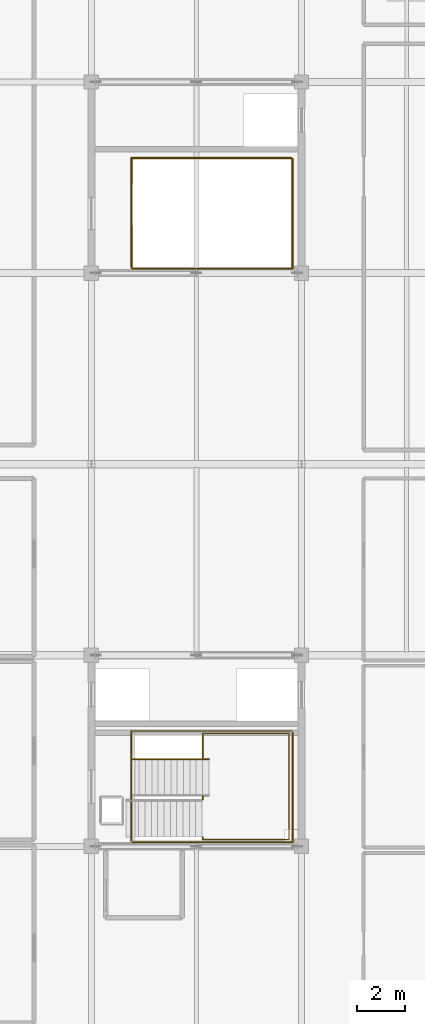
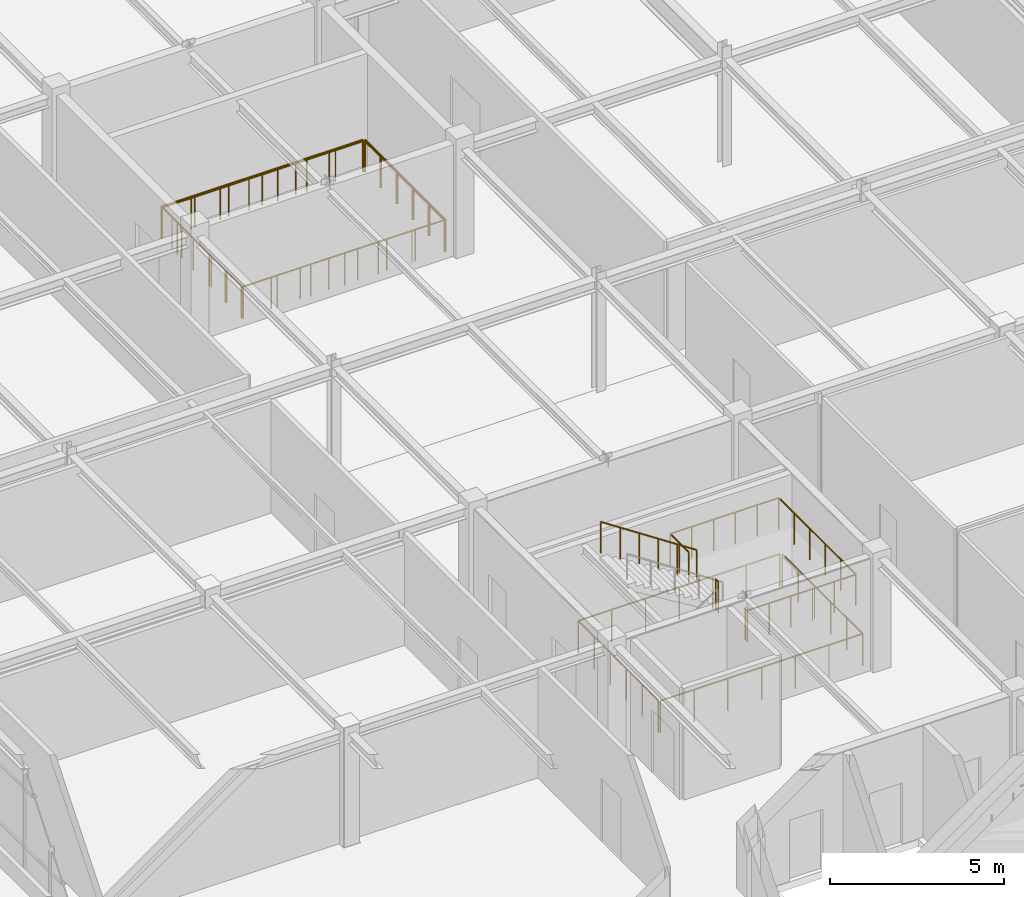
# One storey, part 63 of 64: 8 railings.
"""IFC4 building model written with IfcOpenShell, lengths in metres."""

from ifc_helpers import new_model, si_unit, direction, frame, origin, origin_2d, place, context, subcontext, project, spatial, circle, extrude, material, type_object, element, save


model = new_model("IFC4")

# Units and contexts
model_context = context("Model", 3, precision=1e-05, world=origin(), true_north=direction((0.0, 1.0)))
body_context = subcontext(model_context, "Body", "Model", "MODEL_VIEW")
ifc_project = project(units=[si_unit("LENGTHUNIT", "METRE"), si_unit("AREAUNIT", "SQUARE_METRE"), si_unit("VOLUMEUNIT", "CUBIC_METRE"), si_unit("PLANEANGLEUNIT", "RADIAN"), si_unit("MASSUNIT", "GRAM", prefix="KILO")], contexts=[model_context])

# Site, building, storey
site_placement = place(None, origin())
site = spatial("IfcSite", under=ifc_project, at=site_placement, CompositionType="ELEMENT")
building_placement = place(site_placement, origin())
building = spatial("IfcBuilding", under=site, at=building_placement, Name="Zhaolan Boulevard Law Courts", CompositionType="ELEMENT")
storey_placement = place(building_placement, frame((0.0, 0.0, 20.39990234375)))
storey = spatial("IfcBuildingStorey", under=building, at=storey_placement, Name="L04", CompositionType="ELEMENT", Elevation=20.39990234375)

# Railings
ifc_material_1 = material(Name="Powder-coated steel and tempered laminated glass", Category="steel")
railing_type_1 = type_object("IfcRailingType", Name="INTERIOR GUARDRAIL 1150", PredefinedType="GUARDRAIL", material=ifc_material_1)
railing_1_placement = place(storey_placement, frame((19.31005859375, 62.169921875, 0.0)))
element("IfcRailing", 1, at=railing_1_placement, inside=storey, type_object=railing_type_1, Name="Atrium Gallery Guardrail VG-4-V5-7A", PredefinedType="GUARDRAIL", context=body_context, shape_type="SweptSolid", body=[
    extrude(circle(Radius=0.02490234375, at=origin_2d()), frame((0.0, 0.0, 1.125), z_axis=(1.0, 0.0, 0.0), x_axis=(0.0, 1.0, 0.0)), (0.0, 0.0, 1.0), 6.719970703125),
    extrude(circle(Radius=0.02490234375, at=origin_2d()), frame((6.719970703125, 0.0, 1.125), z_axis=(0.0, 1.0, 0.0), x_axis=(-1.0, 0.0, 0.0)), (0.0, 0.0, 1.0), 4.6201171875),
    extrude(circle(Radius=0.02099609375, at=origin_2d()), origin(), (0.0, 0.0, 1.0), 1.099853515625),
    extrude(circle(Radius=0.02099609375, at=origin_2d()), frame((1.1201171875, 0.0, 0.0)), (0.0, 0.0, 1.0), 1.099853515625),
    extrude(circle(Radius=0.02099609375, at=origin_2d()), frame((2.239990234375, 0.0, 0.0)), (0.0, 0.0, 1.0), 1.099853515625),
    extrude(circle(Radius=0.02099609375, at=origin_2d()), frame((3.35986328125, 0.0, 0.0)), (0.0, 0.0, 1.0), 1.099853515625),
    extrude(circle(Radius=0.02099609375, at=origin_2d()), frame((4.47998046875, 0.0, 0.0)), (0.0, 0.0, 1.0), 1.099853515625),
    extrude(circle(Radius=0.02099609375, at=origin_2d()), frame((5.60009765625, 0.0, 0.0)), (0.0, 0.0, 1.0), 1.099853515625),
    extrude(circle(Radius=0.02099609375, at=origin_2d()), frame((6.719970703125, 0.0, 0.0)), (0.0, 0.0, 1.0), 1.099853515625),
    extrude(circle(Radius=0.02099609375, at=origin_2d()), frame((6.719970703125, 0.924072265625, 0.0)), (0.0, 0.0, 1.0), 1.099853515625),
    extrude(circle(Radius=0.02099609375, at=origin_2d()), frame((6.719970703125, 1.84814453125, 0.0)), (0.0, 0.0, 1.0), 1.099853515625),
    extrude(circle(Radius=0.02099609375, at=origin_2d()), frame((6.719970703125, 2.77197265625, 0.0)), (0.0, 0.0, 1.0), 1.099853515625),
    extrude(circle(Radius=0.02099609375, at=origin_2d()), frame((6.719970703125, 3.696044921875, 0.0)), (0.0, 0.0, 1.0), 1.099853515625),
    extrude(circle(Radius=0.02099609375, at=origin_2d()), frame((6.719970703125, 4.6201171875, 0.0)), (0.0, 0.0, 1.0), 1.099853515625),
])
railing_2_placement = place(storey_placement, frame((25.969970703125, 66.830078125, 0.0)))
element("IfcRailing", 2, at=railing_2_placement, inside=storey, type_object=railing_type_1, Name="Atrium Gallery Guardrail VG-4-V5-7B", PredefinedType="GUARDRAIL", context=body_context, shape_type="SweptSolid", body=[
    extrude(circle(Radius=0.02490234375, at=origin_2d()), frame((0.0, 0.0, 1.125), z_axis=(-1.0, 0.0, 0.0), x_axis=(0.0, -1.0, 0.0)), (0.0, 0.0, 1.0), 6.699951171875),
    extrude(circle(Radius=0.02490234375, at=origin_2d()), frame((-6.699951171875, 0.0, 1.125), z_axis=(0.0, -1.0, 0.0), x_axis=(1.0, 0.0, 0.0)), (0.0, 0.0, 1.0), 4.60009765625),
    extrude(circle(Radius=0.02099609375, at=origin_2d()), origin(), (0.0, 0.0, 1.0), 1.099853515625),
    extrude(circle(Radius=0.02099609375, at=origin_2d()), frame((-1.11669921875, 0.0, 0.0)), (0.0, 0.0, 1.0), 1.099853515625),
    extrude(circle(Radius=0.02099609375, at=origin_2d()), frame((-2.2333984375, 0.0, 0.0)), (0.0, 0.0, 1.0), 1.099853515625),
    extrude(circle(Radius=0.02099609375, at=origin_2d()), frame((-3.35009765625, 0.0, 0.0)), (0.0, 0.0, 1.0), 1.099853515625),
    extrude(circle(Radius=0.02099609375, at=origin_2d()), frame((-4.466552734375, 0.0, 0.0)), (0.0, 0.0, 1.0), 1.099853515625),
    extrude(circle(Radius=0.02099609375, at=origin_2d()), frame((-5.583251953125, 0.0, 0.0)), (0.0, 0.0, 1.0), 1.099853515625),
    extrude(circle(Radius=0.02099609375, at=origin_2d()), frame((-6.699951171875, 0.0, 0.0)), (0.0, 0.0, 1.0), 1.099853515625),
    extrude(circle(Radius=0.02099609375, at=origin_2d()), frame((-6.699951171875, -0.919921875, 0.0)), (0.0, 0.0, 1.0), 1.099853515625),
    extrude(circle(Radius=0.02099609375, at=origin_2d()), frame((-6.699951171875, -1.840087890625, 0.0)), (0.0, 0.0, 1.0), 1.099853515625),
    extrude(circle(Radius=0.02099609375, at=origin_2d()), frame((-6.699951171875, -2.760009765625, 0.0)), (0.0, 0.0, 1.0), 1.099853515625),
    extrude(circle(Radius=0.02099609375, at=origin_2d()), frame((-6.699951171875, -3.68017578125, 0.0)), (0.0, 0.0, 1.0), 1.099853515625),
    extrude(circle(Radius=0.02099609375, at=origin_2d()), frame((-6.699951171875, -4.60009765625, 0.0)), (0.0, 0.0, 1.0), 1.099853515625),
])
railing_3_placement = place(storey_placement, frame((19.31005859375, 86.169921875, 0.0)))
element("IfcRailing", 3, at=railing_3_placement, inside=storey, type_object=railing_type_1, Name="Atrium Gallery Guardrail VG-4-V3-2A", PredefinedType="GUARDRAIL", context=body_context, shape_type="SweptSolid", body=[
    extrude(circle(Radius=0.02490234375, at=origin_2d()), frame((0.0, 0.0, 1.125), z_axis=(1.0, 0.0, 0.0), x_axis=(0.0, 1.0, 0.0)), (0.0, 0.0, 1.0), 6.719970703125),
    extrude(circle(Radius=0.02490234375, at=origin_2d()), frame((6.719970703125, 0.0, 1.125), z_axis=(0.0, 1.0, 0.0), x_axis=(-1.0, 0.0, 0.0)), (0.0, 0.0, 1.0), 4.6201171875),
    extrude(circle(Radius=0.02099609375, at=origin_2d()), origin(), (0.0, 0.0, 1.0), 1.099853515625),
    extrude(circle(Radius=0.02099609375, at=origin_2d()), frame((1.1201171875, 0.0, 0.0)), (0.0, 0.0, 1.0), 1.099853515625),
    extrude(circle(Radius=0.02099609375, at=origin_2d()), frame((2.239990234375, 0.0, 0.0)), (0.0, 0.0, 1.0), 1.099853515625),
    extrude(circle(Radius=0.02099609375, at=origin_2d()), frame((3.35986328125, 0.0, 0.0)), (0.0, 0.0, 1.0), 1.099853515625),
    extrude(circle(Radius=0.02099609375, at=origin_2d()), frame((4.47998046875, 0.0, 0.0)), (0.0, 0.0, 1.0), 1.099853515625),
    extrude(circle(Radius=0.02099609375, at=origin_2d()), frame((5.60009765625, 0.0, 0.0)), (0.0, 0.0, 1.0), 1.099853515625),
    extrude(circle(Radius=0.02099609375, at=origin_2d()), frame((6.719970703125, 0.0, 0.0)), (0.0, 0.0, 1.0), 1.099853515625),
    extrude(circle(Radius=0.02099609375, at=origin_2d()), frame((6.719970703125, 0.924072265625, 0.0)), (0.0, 0.0, 1.0), 1.099853515625),
    extrude(circle(Radius=0.02099609375, at=origin_2d()), frame((6.719970703125, 1.84814453125, 0.0)), (0.0, 0.0, 1.0), 1.099853515625),
    extrude(circle(Radius=0.02099609375, at=origin_2d()), frame((6.719970703125, 2.77197265625, 0.0)), (0.0, 0.0, 1.0), 1.099853515625),
    extrude(circle(Radius=0.02099609375, at=origin_2d()), frame((6.719970703125, 3.696044921875, 0.0)), (0.0, 0.0, 1.0), 1.099853515625),
    extrude(circle(Radius=0.02099609375, at=origin_2d()), frame((6.719970703125, 4.6201171875, 0.0)), (0.0, 0.0, 1.0), 1.099853515625),
])
railing_4_placement = place(storey_placement, frame((25.969970703125, 90.830078125, 0.0)))
element("IfcRailing", 4, at=railing_4_placement, inside=storey, type_object=railing_type_1, Name="Atrium Gallery Guardrail VG-4-V3-2B", PredefinedType="GUARDRAIL", context=body_context, shape_type="SweptSolid", body=[
    extrude(circle(Radius=0.02490234375, at=origin_2d()), frame((0.0, 0.0, 1.125), z_axis=(-1.0, 0.0, 0.0), x_axis=(0.0, -1.0, 0.0)), (0.0, 0.0, 1.0), 6.699951171875),
    extrude(circle(Radius=0.02490234375, at=origin_2d()), frame((-6.699951171875, 0.0, 1.125), z_axis=(0.0, -1.0, 0.0), x_axis=(1.0, 0.0, 0.0)), (0.0, 0.0, 1.0), 4.60009765625),
    extrude(circle(Radius=0.02099609375, at=origin_2d()), origin(), (0.0, 0.0, 1.0), 1.099853515625),
    extrude(circle(Radius=0.02099609375, at=origin_2d()), frame((-1.11669921875, 0.0, 0.0)), (0.0, 0.0, 1.0), 1.099853515625),
    extrude(circle(Radius=0.02099609375, at=origin_2d()), frame((-2.2333984375, 0.0, 0.0)), (0.0, 0.0, 1.0), 1.099853515625),
    extrude(circle(Radius=0.02099609375, at=origin_2d()), frame((-3.35009765625, 0.0, 0.0)), (0.0, 0.0, 1.0), 1.099853515625),
    extrude(circle(Radius=0.02099609375, at=origin_2d()), frame((-4.466552734375, 0.0, 0.0)), (0.0, 0.0, 1.0), 1.099853515625),
    extrude(circle(Radius=0.02099609375, at=origin_2d()), frame((-5.583251953125, 0.0, 0.0)), (0.0, 0.0, 1.0), 1.099853515625),
    extrude(circle(Radius=0.02099609375, at=origin_2d()), frame((-6.699951171875, 0.0, 0.0)), (0.0, 0.0, 1.0), 1.099853515625),
    extrude(circle(Radius=0.02099609375, at=origin_2d()), frame((-6.699951171875, -0.919921875, 0.0)), (0.0, 0.0, 1.0), 1.099853515625),
    extrude(circle(Radius=0.02099609375, at=origin_2d()), frame((-6.699951171875, -1.840087890625, 0.0)), (0.0, 0.0, 1.0), 1.099853515625),
    extrude(circle(Radius=0.02099609375, at=origin_2d()), frame((-6.699951171875, -2.760009765625, 0.0)), (0.0, 0.0, 1.0), 1.099853515625),
    extrude(circle(Radius=0.02099609375, at=origin_2d()), frame((-6.699951171875, -3.68017578125, 0.0)), (0.0, 0.0, 1.0), 1.099853515625),
    extrude(circle(Radius=0.02099609375, at=origin_2d()), frame((-6.699951171875, -4.60009765625, 0.0)), (0.0, 0.0, 1.0), 1.099853515625),
])
ifc_material_2 = material(Name="Powder-coated steel baluster guardrail", Category="steel")
railing_type_2 = type_object("IfcRailingType", Name="STAIR WELL GUARDRAIL 1120", PredefinedType="GUARDRAIL", material=ifc_material_2)
railing_5_placement = place(storey_placement, frame((22.260009765625, 62.39990234375, 2.10009765625)))
element("IfcRailing", 5, at=railing_5_placement, inside=storey, type_object=railing_type_2, Name="Half-Landing Guardrail SG-ST02-L04-M", PredefinedType="GUARDRAIL", context=body_context, shape_type="SweptSolid", body=[
    extrude(circle(Radius=0.02392578125, at=origin_2d()), frame((0.0, 0.0, 1.09619140625), z_axis=(0.0, -1.0, 0.0), x_axis=(1.0, 0.0, 0.0)), (0.0, 0.0, 1.0), 0.119873046875),
    extrude(circle(Radius=0.02392578125, at=origin_2d()), frame((0.0, -0.119873046875, 1.09619140625), z_axis=(1.0, 0.0, 0.0), x_axis=(0.0, 1.0, 0.0)), (0.0, 0.0, 1.0), 3.610107421875),
    extrude(circle(Radius=0.02392578125, at=origin_2d()), frame((3.610107421875, -0.119873046875, 1.09619140625), z_axis=(0.0, 1.0, 0.0), x_axis=(-1.0, 0.0, 0.0)), (0.0, 0.0, 1.0), 4.43994140625),
    extrude(circle(Radius=0.02392578125, at=origin_2d()), frame((3.610107421875, 4.320068359375, 1.09619140625), z_axis=(-1.0, 0.0, 0.0), x_axis=(0.0, -1.0, 0.0)), (0.0, 0.0, 1.0), 3.610107421875),
    extrude(circle(Radius=0.02392578125, at=origin_2d()), frame((0.0, 4.320068359375, 1.09619140625), z_axis=(0.0, -1.0, 0.0), x_axis=(1.0, 0.0, 0.0)), (0.0, 0.0, 1.0), 1.06005859375),
    extrude(circle(Radius=0.02099609375, at=origin_2d()), origin(), (0.0, 0.0, 1.0), 1.072021484375),
    extrude(circle(Radius=0.02099609375, at=origin_2d()), frame((0.0, -0.119873046875, 0.0)), (0.0, 0.0, 1.0), 1.072021484375),
    extrude(circle(Radius=0.02099609375, at=origin_2d()), frame((0.721923828125, -0.119873046875, 0.0)), (0.0, 0.0, 1.0), 1.072021484375),
    extrude(circle(Radius=0.02099609375, at=origin_2d()), frame((1.444091796875, -0.119873046875, 0.0)), (0.0, 0.0, 1.0), 1.072021484375),
    extrude(circle(Radius=0.02099609375, at=origin_2d()), frame((2.166015625, -0.119873046875, 0.0)), (0.0, 0.0, 1.0), 1.072021484375),
    extrude(circle(Radius=0.02099609375, at=origin_2d()), frame((2.88818359375, -0.119873046875, 0.0)), (0.0, 0.0, 1.0), 1.072021484375),
    extrude(circle(Radius=0.02099609375, at=origin_2d()), frame((3.610107421875, -0.119873046875, 0.0)), (0.0, 0.0, 1.0), 1.072021484375),
    extrude(circle(Radius=0.02099609375, at=origin_2d()), frame((3.610107421875, 0.76806640625, 0.0)), (0.0, 0.0, 1.0), 1.072021484375),
    extrude(circle(Radius=0.02099609375, at=origin_2d()), frame((3.610107421875, 1.656005859375, 0.0)), (0.0, 0.0, 1.0), 1.072021484375),
    extrude(circle(Radius=0.02099609375, at=origin_2d()), frame((3.610107421875, 2.544189453125, 0.0)), (0.0, 0.0, 1.0), 1.072021484375),
    extrude(circle(Radius=0.02099609375, at=origin_2d()), frame((3.610107421875, 3.43212890625, 0.0)), (0.0, 0.0, 1.0), 1.072021484375),
    extrude(circle(Radius=0.02099609375, at=origin_2d()), frame((3.610107421875, 4.320068359375, 0.0)), (0.0, 0.0, 1.0), 1.072021484375),
    extrude(circle(Radius=0.02099609375, at=origin_2d()), frame((2.88818359375, 4.320068359375, 0.0)), (0.0, 0.0, 1.0), 1.072021484375),
    extrude(circle(Radius=0.02099609375, at=origin_2d()), frame((2.166015625, 4.320068359375, 0.0)), (0.0, 0.0, 1.0), 1.072021484375),
    extrude(circle(Radius=0.02099609375, at=origin_2d()), frame((1.444091796875, 4.320068359375, 0.0)), (0.0, 0.0, 1.0), 1.072021484375),
    extrude(circle(Radius=0.02099609375, at=origin_2d()), frame((0.721923828125, 4.320068359375, 0.0)), (0.0, 0.0, 1.0), 1.072021484375),
    extrude(circle(Radius=0.02099609375, at=origin_2d()), frame((0.0, 4.320068359375, 0.0)), (0.0, 0.0, 1.0), 1.072021484375),
    extrude(circle(Radius=0.02099609375, at=origin_2d()), frame((0.0, 3.7900390625, 0.0)), (0.0, 0.0, 1.0), 1.072021484375),
    extrude(circle(Radius=0.02099609375, at=origin_2d()), frame((0.0, 3.260009765625, 0.0)), (0.0, 0.0, 1.0), 1.072021484375),
])
railing_6_placement = place(storey_placement, frame((22.260009765625, 63.9599609375, 2.10009765625)))
element("IfcRailing", 6, at=railing_6_placement, inside=storey, type_object=railing_type_2, Name="Half-Landing Well Guardrail SG-ST02-L04-W", PredefinedType="GUARDRAIL", context=body_context, shape_type="SweptSolid", body=[
    extrude(circle(Radius=0.02392578125, at=origin_2d()), frame((0.0, 0.0, 1.09619140625), z_axis=(0.0, 1.0, 0.0), x_axis=(-1.0, 0.0, 0.0)), (0.0, 0.0, 1.0), 0.14013671875),
    extrude(circle(Radius=0.02099609375, at=origin_2d()), origin(), (0.0, 0.0, 1.0), 1.072021484375),
    extrude(circle(Radius=0.02099609375, at=origin_2d()), frame((0.0, 0.14013671875, 0.0)), (0.0, 0.0, 1.0), 1.072021484375),
])
railing_7_placement = place(storey_placement, frame((22.514892578125, 65.639892578125, 2.10009765625)))
element("IfcRailing", 7, at=railing_7_placement, inside=storey, type_object=railing_type_2, Name="Flight Guardrail SG-ST02-L04-F2", PredefinedType="GUARDRAIL", context=body_context, shape_type="SweptSolid", body=[
    extrude(circle(Radius=0.02392578125, at=origin_2d()), frame((0.0, 0.0, 1.09619140625), z_axis=(-0.834447378162, 0.0, 0.551087627405), x_axis=(0.0, -1.0, 0.0)), (0.0, 0.0, 1.0), 3.810791015625),
    extrude(circle(Radius=0.02099609375, at=origin_2d()), origin(), (0.0, 0.0, 1.0), 1.072021484375),
    extrude(circle(Radius=0.02099609375, at=origin_2d()), frame((-0.635986328125, 0.0, 0.419921875)), (0.0, 0.0, 1.0), 1.072021484375),
    extrude(circle(Radius=0.02099609375, at=origin_2d()), frame((-1.27197265625, 0.0, 0.840087890625)), (0.0, 0.0, 1.0), 1.072021484375),
    extrude(circle(Radius=0.02099609375, at=origin_2d()), frame((-1.907958984375, 0.0, 1.260009765625)), (0.0, 0.0, 1.0), 1.072021484375),
    extrude(circle(Radius=0.02099609375, at=origin_2d()), frame((-2.5439453125, 0.0, 1.68017578125)), (0.0, 0.0, 1.0), 1.072021484375),
    extrude(circle(Radius=0.02099609375, at=origin_2d()), frame((-3.179931640625, 0.0, 2.10009765625)), (0.0, 0.0, 1.0), 1.072021484375),
])
railing_8_placement = place(storey_placement, frame((19.2900390625, 88.0, 0.0)))
element("IfcRailing", 8, at=railing_8_placement, inside=storey, type_object=railing_type_2, Name="Stair-Well Floor Guardrail WG-ST10-L03", PredefinedType="GUARDRAIL", context=body_context, shape_type="SweptSolid", body=[
    extrude(circle(Radius=0.02392578125, at=origin_2d()), frame((0.0, 0.0, 1.09619140625), z_axis=(0.0, -1.0, 0.0), x_axis=(1.0, 0.0, 0.0)), (0.0, 0.0, 1.0), 1.800048828125),
    extrude(circle(Radius=0.02392578125, at=origin_2d()), frame((0.0, -1.800048828125, 1.09619140625), z_axis=(1.0, 0.0, 0.0), x_axis=(0.0, 1.0, 0.0)), (0.0, 0.0, 1.0), 6.7099609375),
    extrude(circle(Radius=0.02392578125, at=origin_2d()), frame((6.7099609375, -1.800048828125, 1.09619140625), z_axis=(0.0, 1.0, 0.0), x_axis=(-1.0, 0.0, 0.0)), (0.0, 0.0, 1.0), 4.60009765625),
    extrude(circle(Radius=0.02392578125, at=origin_2d()), frame((6.7099609375, 2.800048828125, 1.09619140625), z_axis=(-1.0, 0.0, 0.0), x_axis=(0.0, -1.0, 0.0)), (0.0, 0.0, 1.0), 6.7099609375),
    extrude(circle(Radius=0.02392578125, at=origin_2d()), frame((0.0, 2.800048828125, 1.09619140625), z_axis=(0.0, -1.0, 0.0), x_axis=(1.0, 0.0, 0.0)), (0.0, 0.0, 1.0), 1.10009765625),
    extrude(circle(Radius=0.02099609375, at=origin_2d()), origin(), (0.0, 0.0, 1.0), 1.072021484375),
    extrude(circle(Radius=0.02099609375, at=origin_2d()), frame((0.0, -0.89990234375, 0.0)), (0.0, 0.0, 1.0), 1.072021484375),
    extrude(circle(Radius=0.02099609375, at=origin_2d()), frame((0.0, -1.800048828125, 0.0)), (0.0, 0.0, 1.0), 1.072021484375),
    extrude(circle(Radius=0.02099609375, at=origin_2d()), frame((0.95849609375, -1.800048828125, 0.0)), (0.0, 0.0, 1.0), 1.072021484375),
    extrude(circle(Radius=0.02099609375, at=origin_2d()), frame((1.917236328125, -1.800048828125, 0.0)), (0.0, 0.0, 1.0), 1.072021484375),
    extrude(circle(Radius=0.02099609375, at=origin_2d()), frame((2.875732421875, -1.800048828125, 0.0)), (0.0, 0.0, 1.0), 1.072021484375),
    extrude(circle(Radius=0.02099609375, at=origin_2d()), frame((3.834228515625, -1.800048828125, 0.0)), (0.0, 0.0, 1.0), 1.072021484375),
    extrude(circle(Radius=0.02099609375, at=origin_2d()), frame((4.792724609375, -1.800048828125, 0.0)), (0.0, 0.0, 1.0), 1.072021484375),
    extrude(circle(Radius=0.02099609375, at=origin_2d()), frame((5.75146484375, -1.800048828125, 0.0)), (0.0, 0.0, 1.0), 1.072021484375),
    extrude(circle(Radius=0.02099609375, at=origin_2d()), frame((6.7099609375, -1.800048828125, 0.0)), (0.0, 0.0, 1.0), 1.072021484375),
    extrude(circle(Radius=0.02099609375, at=origin_2d()), frame((6.7099609375, -0.880126953125, 0.0)), (0.0, 0.0, 1.0), 1.072021484375),
    extrude(circle(Radius=0.02099609375, at=origin_2d()), frame((6.7099609375, 0.0400390625, 0.0)), (0.0, 0.0, 1.0), 1.072021484375),
    extrude(circle(Radius=0.02099609375, at=origin_2d()), frame((6.7099609375, 0.9599609375, 0.0)), (0.0, 0.0, 1.0), 1.072021484375),
    extrude(circle(Radius=0.02099609375, at=origin_2d()), frame((6.7099609375, 1.880126953125, 0.0)), (0.0, 0.0, 1.0), 1.072021484375),
    extrude(circle(Radius=0.02099609375, at=origin_2d()), frame((6.7099609375, 2.800048828125, 0.0)), (0.0, 0.0, 1.0), 1.072021484375),
    extrude(circle(Radius=0.02099609375, at=origin_2d()), frame((5.75146484375, 2.800048828125, 0.0)), (0.0, 0.0, 1.0), 1.072021484375),
    extrude(circle(Radius=0.02099609375, at=origin_2d()), frame((4.792724609375, 2.800048828125, 0.0)), (0.0, 0.0, 1.0), 1.072021484375),
    extrude(circle(Radius=0.02099609375, at=origin_2d()), frame((3.834228515625, 2.800048828125, 0.0)), (0.0, 0.0, 1.0), 1.072021484375),
    extrude(circle(Radius=0.02099609375, at=origin_2d()), frame((2.875732421875, 2.800048828125, 0.0)), (0.0, 0.0, 1.0), 1.072021484375),
    extrude(circle(Radius=0.02099609375, at=origin_2d()), frame((1.917236328125, 2.800048828125, 0.0)), (0.0, 0.0, 1.0), 1.072021484375),
    extrude(circle(Radius=0.02099609375, at=origin_2d()), frame((0.95849609375, 2.800048828125, 0.0)), (0.0, 0.0, 1.0), 1.072021484375),
    extrude(circle(Radius=0.02099609375, at=origin_2d()), frame((0.0, 2.800048828125, 0.0)), (0.0, 0.0, 1.0), 1.072021484375),
    extrude(circle(Radius=0.02099609375, at=origin_2d()), frame((0.0, 2.25, 0.0)), (0.0, 0.0, 1.0), 1.072021484375),
    extrude(circle(Radius=0.02099609375, at=origin_2d()), frame((0.0, 1.699951171875, 0.0)), (0.0, 0.0, 1.0), 1.072021484375),
])

save(model, "model.ifc")
